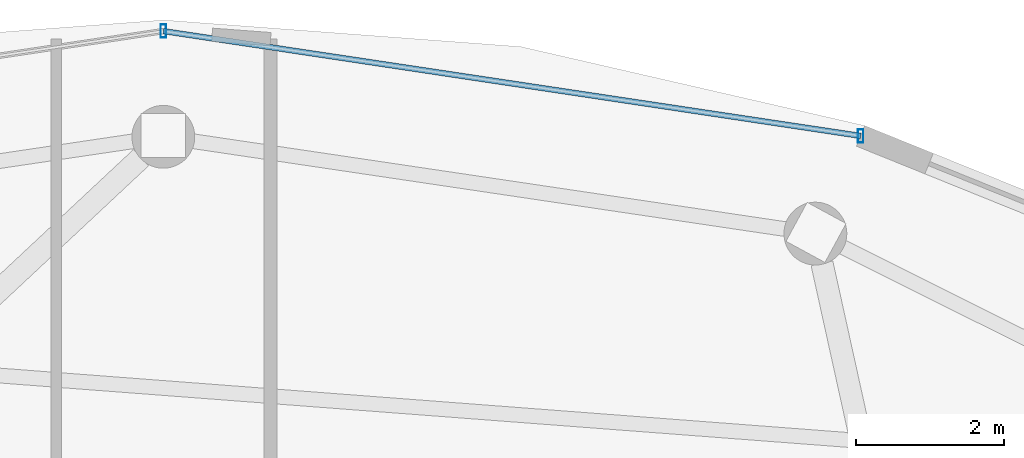
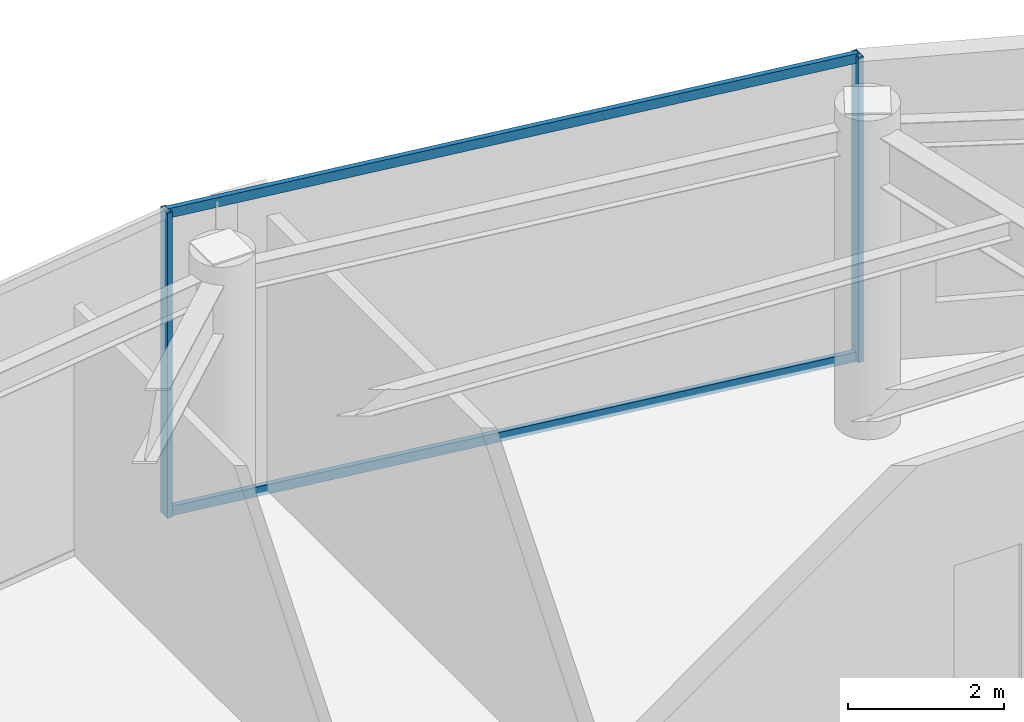
# One storey, part 18 of 24: 4 members, 1 element without a shape of its own.
"""IFC4 building model written with IfcOpenShell, lengths in metres."""

from ifc_helpers import new_model, si_unit, direction, frame, origin, origin_2d, place, context, subcontext, project, spatial, hollow_rectangle, extrude, material, material_profile, profile_set, type_object, element, aggregate, save


model = new_model("IFC4")

# Units and contexts
model_context = context("Model", 3, precision=1e-05, world=origin(), true_north=direction((0.0, 1.0)))
body_context = subcontext(model_context, "Body", "Model", "MODEL_VIEW")
ifc_project = project(units=[si_unit("LENGTHUNIT", "METRE"), si_unit("AREAUNIT", "SQUARE_METRE"), si_unit("VOLUMEUNIT", "CUBIC_METRE"), si_unit("PLANEANGLEUNIT", "RADIAN"), si_unit("MASSUNIT", "GRAM", prefix="KILO")], contexts=[model_context])

# Site, building, storey
site_placement = place(None, origin())
site = spatial("IfcSite", under=ifc_project, at=site_placement, CompositionType="ELEMENT")
building_placement = place(site_placement, origin())
building = spatial("IfcBuilding", under=site, at=building_placement, Name="Vorneva Point Tower", CompositionType="ELEMENT")
storey_placement = place(building_placement, frame((0.0, 0.0, 290.39990234375)))
storey = spatial("IfcBuildingStorey", under=building, at=storey_placement, Name="L78", CompositionType="ELEMENT", Elevation=290.39990234375)

# Curtain wall, members
ifc_material = material(Name="Pale anodised aluminium", Category="aluminium")
curtain_wall_type = type_object("IfcCurtainWallType", Name="CW-OBS-SYS", PredefinedType="NOTDEFINED", material=ifc_material)
curtain_wall_placement = place(storey_placement, origin())
curtain_wall = element("IfcCurtainWall", 1, at=curtain_wall_placement, inside=storey, type_object=curtain_wall_type, Name="L78 Unitised Curtain Wall CW-L78-R02", PredefinedType="NOTDEFINED")
ifc_material_profile_1 = material_profile(ifc_material, hollow_rectangle(XDim=0.074951171875, YDim=0.179931640625, WallThickness=0.00390625, at=origin_2d()), Name="AL-MUL 180x75x4")
ifc_profile_set_1 = profile_set([ifc_material_profile_1], Name="Pale anodised aluminium")
member_type_1 = type_object("IfcMemberType", Name="CW-MUL-180", PredefinedType="MULLION", material=ifc_profile_set_1)
member_1_placement = place(storey_placement, frame((47.43310546875, 43.2119140625, -0.039794921875), z_axis=(0.0, 0.0, 1.0), x_axis=(1.0, 0.0, 0.0)))
member_1 = element("IfcMember", 2, at=member_1_placement, type_object=member_type_1, Name="CW-L78-R02 Mullion 01", PredefinedType="MULLION", context=body_context, shape_type="SweptSolid", body=[
    extrude(hollow_rectangle(XDim=0.074951171875, YDim=0.179931640625, WallThickness=0.00390625, at=origin_2d()), origin(), (0.0, 0.0, 1.0), 4.789794921875),
])
member_2_placement = place(storey_placement, frame((38.0, 44.6298828125, -0.039794921875), z_axis=(0.0, 0.0, 1.0), x_axis=(1.0, 0.0, 0.0)))
member_2 = element("IfcMember", 3, at=member_2_placement, type_object=member_type_1, Name="CW-L78-R02 Mullion 02", PredefinedType="MULLION", context=body_context, shape_type="SweptSolid", body=[
    extrude(hollow_rectangle(XDim=0.074951171875, YDim=0.179931640625, WallThickness=0.00390625, at=origin_2d()), origin(), (0.0, 0.0, 1.0), 4.789794921875),
])
ifc_material_profile_2 = material_profile(ifc_material, hollow_rectangle(XDim=0.074951171875, YDim=0.14990234375, WallThickness=0.00390625, at=origin_2d()), Name="AL-TRN 150x75x4")
ifc_profile_set_2 = profile_set([ifc_material_profile_2], Name="Pale anodised aluminium")
member_type_2 = type_object("IfcMemberType", Name="CW-TRN-150", PredefinedType="USERDEFINED", material=ifc_profile_set_2)
member_3_placement = place(storey_placement, frame((47.43310546875, 43.2119140625, 0.02001953125), z_axis=(-0.988890123612, 0.148648321288, 0.0), x_axis=(-0.148648321288, -0.988890123612, 0.0)))
member_3 = element("IfcMember", 4, at=member_3_placement, type_object=member_type_2, Name="CW-L78-R02 Transom 01.1", ObjectType="TRANSOM", PredefinedType="USERDEFINED", context=body_context, shape_type="SweptSolid", body=[
    extrude(hollow_rectangle(XDim=0.074951171875, YDim=0.14990234375, WallThickness=0.00390625, at=origin_2d()), origin(), (0.0, 0.0, 1.0), 9.5390625),
])
member_4_placement = place(storey_placement, frame((47.43310546875, 43.2119140625, 4.7001953125), z_axis=(-0.988890123612, 0.148648321288, 0.0), x_axis=(-0.148648321288, -0.988890123612, 0.0)))
member_4 = element("IfcMember", 5, at=member_4_placement, type_object=member_type_2, Name="CW-L78-R02 Transom 01.2", ObjectType="TRANSOM", PredefinedType="USERDEFINED", context=body_context, shape_type="SweptSolid", body=[
    extrude(hollow_rectangle(XDim=0.074951171875, YDim=0.14990234375, WallThickness=0.00390625, at=origin_2d()), origin(), (0.0, 0.0, 1.0), 9.5390625),
])
aggregate(curtain_wall, [member_1, member_2, member_3, member_4])

save(model, "model.ifc")
